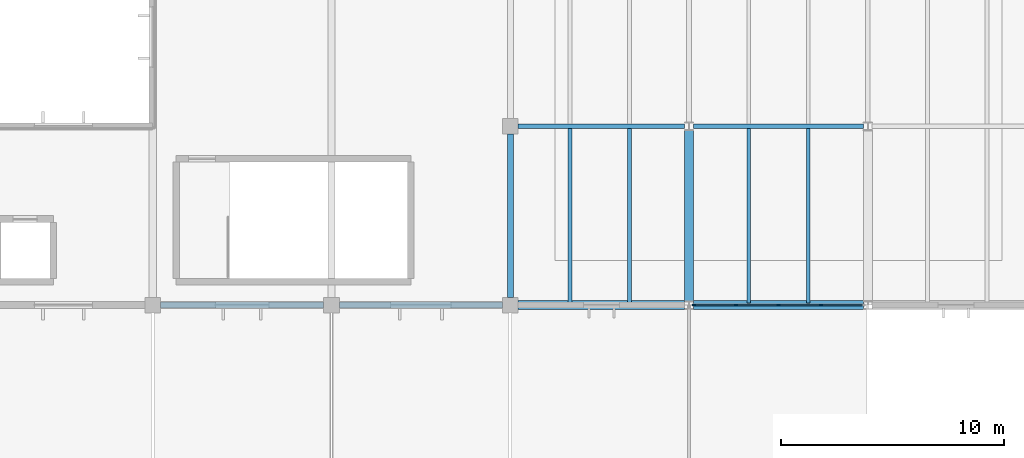
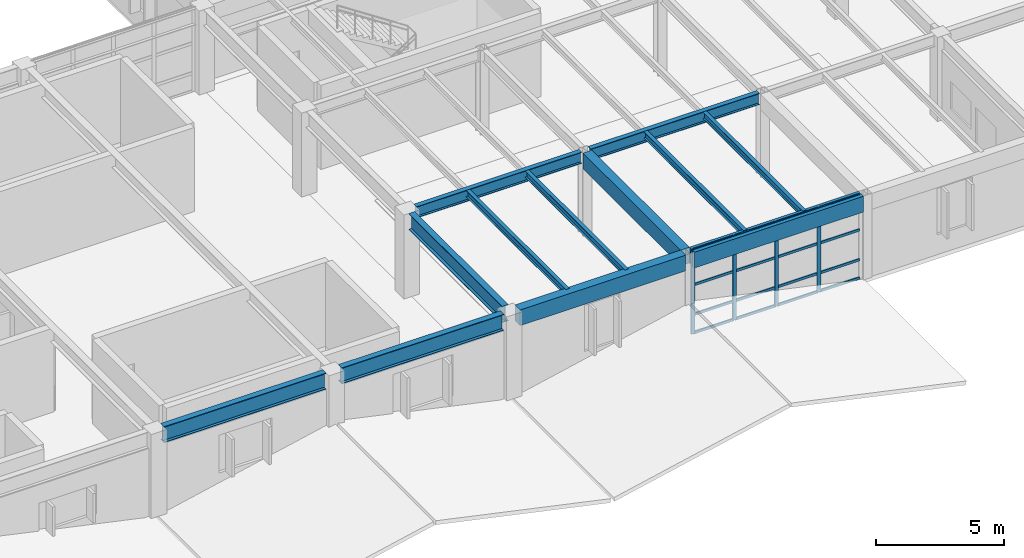
# One storey, part 21 of 48: 20 members, 12 beams, 1 element without a shape of its own.
"""IFC4 building model written with IfcOpenShell, lengths in metres."""

from ifc_helpers import new_model, si_unit, direction, frame, origin, origin_2d, place, context, subcontext, project, spatial, rectangle, i_section, extrude, material, layer, layer_set, material_profile, profile_set, type_object, element, aggregate, save


model = new_model("IFC4")

# Units and contexts
model_context = context("Model", 3, precision=1e-05, world=origin(), true_north=direction((0.0, 1.0)))
body_context = subcontext(model_context, "Body", "Model", "MODEL_VIEW")
ifc_project = project(units=[si_unit("LENGTHUNIT", "METRE"), si_unit("AREAUNIT", "SQUARE_METRE"), si_unit("VOLUMEUNIT", "CUBIC_METRE"), si_unit("PLANEANGLEUNIT", "RADIAN"), si_unit("MASSUNIT", "GRAM", prefix="KILO")], contexts=[model_context])

# Site, building, storey
site_placement = place(None, origin())
site = spatial("IfcSite", under=ifc_project, at=site_placement, CompositionType="ELEMENT")
building_placement = place(site_placement, origin())
building = spatial("IfcBuilding", under=site, at=building_placement, Name="Varnela Railside Interchange", CompositionType="ELEMENT")
storey_placement = place(building_placement, frame((0.0, 0.0, 11.199951171875)))
storey = spatial("IfcBuildingStorey", under=building, at=storey_placement, Name="L02", CompositionType="ELEMENT", Elevation=11.199951171875)

# Beams
ifc_material_1 = material(Name="Steel AR 350 (350 MPa)", Category="steel")
ifc_material_profile_1 = material_profile(ifc_material_1, i_section(OverallWidth=0.2119140625, OverallDepth=0.5439453125, WebThickness=0.01318359375, FlangeThickness=0.021240234375, at=origin_2d()), Name="W530x123")
ifc_profile_set_1 = profile_set([ifc_material_profile_1], Name="Steel AR 350 (350 MPa)")
beam_type_1 = type_object("IfcBeamType", Name="Composite Heavy Girder B-16", PredefinedType="BEAM", material=ifc_profile_set_1)
beam_1_placement = place(storey_placement, frame((116.35009765625, 46.0, 3.72802734375), z_axis=(1.0, 0.0, 0.0), x_axis=(0.0, 1.0, 0.0)))
element("IfcBeam", 1, at=beam_1_placement, inside=storey, type_object=beam_type_1, Name="Composite Heavy Girder B-16 (L02) (BM-1952)", PredefinedType="BEAM", context=body_context, shape_type="SweptSolid", body=[
    extrude(i_section(OverallWidth=0.2119140625, OverallDepth=0.5439453125, WebThickness=0.01318359375, FlangeThickness=0.021240234375, at=origin_2d()), origin(), (0.0, 0.0, 1.0), 7.452880859375),
])
beam_2_placement = place(storey_placement, frame((124.197021484375, 46.0, 3.72802734375), z_axis=(1.0, 0.0, 0.0), x_axis=(0.0, 1.0, 0.0)))
element("IfcBeam", 2, at=beam_2_placement, inside=storey, type_object=beam_type_1, Name="Composite Heavy Girder B-16 (L02) (BM-1953)", PredefinedType="BEAM", context=body_context, shape_type="SweptSolid", body=[
    extrude(i_section(OverallWidth=0.2119140625, OverallDepth=0.5439453125, WebThickness=0.01318359375, FlangeThickness=0.021240234375, at=origin_2d()), origin(), (0.0, 0.0, 1.0), 7.60595703125),
])
ifc_material_profile_2 = material_profile(ifc_material_1, i_section(OverallWidth=0.1669921875, OverallDepth=0.31689453125, WebThickness=0.007568359375, FlangeThickness=0.01318359375, at=origin_2d()), Name="W310x52")
ifc_profile_set_2 = profile_set([ifc_material_profile_2], Name="Steel AR 350 (350 MPa)")
beam_type_2 = type_object("IfcBeamType", Name="Composite Long-Span Joist J-03", PredefinedType="JOIST", material=ifc_profile_set_2)
for number, where, z_axis, x_axis, name in (
    (3, (118.669921875, 38.10595703125, 3.841552734375), (0.0, 1.0, 0.0), (-1.0, 0.0, 0.0), "Composite Long-Span Joist J-03 (L02) (BM-1841)"),
    (4, (121.330078125, 38.10595703125, 3.841552734375), (0.0, 1.0, 0.0), (-1.0, 0.0, 0.0), "Composite Long-Span Joist J-03 (L02) (BM-1842)"),
    (5, (126.669921875, 38.10595703125, 3.841552734375), (0.0, 1.0, 0.0), (-1.0, 0.0, 0.0), "Composite Long-Span Joist J-03 (L02) (BM-1854)"),
    (6, (129.330078125, 38.10595703125, 3.841552734375), (0.0, 1.0, 0.0), (-1.0, 0.0, 0.0), "Composite Long-Span Joist J-03 (L02) (BM-1855)"),
):
    element("IfcBeam", number, at=place(storey_placement, frame(where, z_axis=z_axis, x_axis=x_axis)), inside=storey, type_object=beam_type_2, Name=name, PredefinedType="JOIST", context=body_context, shape_type="SweptSolid", body=[
        extrude(i_section(OverallWidth=0.1669921875, OverallDepth=0.31689453125, WebThickness=0.007568359375, FlangeThickness=0.01318359375, at=origin_2d()), origin(), (0.0, 0.0, 1.0), 7.7880859375),
    ])
ifc_material_profile_3 = material_profile(ifc_material_1, i_section(OverallWidth=0.26806640625, OverallDepth=0.77001953125, WebThickness=0.015625, FlangeThickness=0.025390625, at=origin_2d()), Name="W760x196")
ifc_profile_set_3 = profile_set([ifc_material_profile_3], Name="Steel AR 350 (350 MPa)")
beam_type_3 = type_object("IfcBeamType", Name="Concourse Compression Ring Beam RB-01", PredefinedType="BEAM", material=ifc_profile_set_3)
for number, where, z_axis, x_axis, name in (
    (7, (100.35009765625, 38.0, 3.614990234375), (1.0, 0.0, 0.0), (0.0, 1.0, 0.0), "Concourse Compression Ring Beam RB-01 (L02) (BM-1932)"),
    (8, (108.35009765625, 38.0, 3.614990234375), (1.0, 0.0, 0.0), (0.0, 1.0, 0.0), "Concourse Compression Ring Beam RB-01 (L02) (BM-1933)"),
    (9, (116.0, 38.35009765625, 3.614990234375), (0.0, 1.0, 0.0), (-1.0, 0.0, 0.0), "Concourse Compression Ring Beam RB-01 (L02) (BM-2021)"),
):
    element("IfcBeam", number, at=place(storey_placement, frame(where, z_axis=z_axis, x_axis=x_axis)), inside=storey, type_object=beam_type_3, Name=name, PredefinedType="BEAM", context=body_context, shape_type="SweptSolid", body=[
        extrude(i_section(OverallWidth=0.26806640625, OverallDepth=0.77001953125, WebThickness=0.015625, FlangeThickness=0.025390625, at=origin_2d()), origin(), (0.0, 0.0, 1.0), 7.2998046875),
    ])

# Curtain wall, members
ifc_material_2 = material(Name="Aluminium 6063-T6", Category="aluminium")
ifc_layer = layer(ifc_material_2, 0.035888671875)
ifc_layer_set = layer_set([ifc_layer], Name="Aluminium 6063-T6")
curtain_wall_type = type_object("IfcCurtainWallType", Name="Study Pavilion Gallery Curtain Wall CW-02", PredefinedType="USERDEFINED", material=ifc_layer_set)
curtain_wall_placement = place(storey_placement, origin())
curtain_wall = element("IfcCurtainWall", 10, at=curtain_wall_placement, inside=storey, type_object=curtain_wall_type, Name="Curtain Wall CW-02 (L02) (CW-066)", ObjectType="CURTAIN WALL", PredefinedType="USERDEFINED")
ifc_material_profile_4 = material_profile(ifc_material_2, rectangle(XDim=0.06005859375, YDim=0.159912109375, at=origin_2d()), Name="ALU 60x160")
ifc_profile_set_4 = profile_set([ifc_material_profile_4], Name="Aluminium 6063-T6")
member_type_1 = type_object("IfcMemberType", Name="Curtain Wall Mullion ML-02", PredefinedType="MULLION", material=ifc_profile_set_4)
member_1_placement = place(storey_placement, frame((129.901611328125, 38.0, 0.0), z_axis=(0.0, 0.0, 1.0), x_axis=(0.0, -1.0, 0.0)))
member_1 = element("IfcMember", 11, at=member_1_placement, type_object=member_type_1, Name="CW-02 mullion 2", PredefinedType="MULLION", context=body_context, shape_type="SweptSolid", body=[
    extrude(rectangle(XDim=0.06005859375, YDim=0.159912109375, at=origin_2d()), origin(), (0.0, 0.0, 1.0), 4.0),
])
member_2_placement = place(storey_placement, frame((128.0, 38.0, 0.0), z_axis=(0.0, 0.0, 1.0), x_axis=(0.0, -1.0, 0.0)))
member_2 = element("IfcMember", 12, at=member_2_placement, type_object=member_type_1, Name="CW-02 mullion 3", PredefinedType="MULLION", context=body_context, shape_type="SweptSolid", body=[
    extrude(rectangle(XDim=0.06005859375, YDim=0.159912109375, at=origin_2d()), origin(), (0.0, 0.0, 1.0), 4.0),
])
member_3_placement = place(storey_placement, frame((126.098388671875, 38.0, 0.0), z_axis=(0.0, 0.0, 1.0), x_axis=(0.0, -1.0, 0.0)))
member_3 = element("IfcMember", 13, at=member_3_placement, type_object=member_type_1, Name="CW-02 mullion 4", PredefinedType="MULLION", context=body_context, shape_type="SweptSolid", body=[
    extrude(rectangle(XDim=0.06005859375, YDim=0.159912109375, at=origin_2d()), origin(), (0.0, 0.0, 1.0), 4.0),
])
member_4_placement = place(storey_placement, frame((124.22705078125, 38.0, 0.0), z_axis=(0.0, 0.0, 1.0), x_axis=(0.0, -1.0, 0.0)))
member_4 = element("IfcMember", 14, at=member_4_placement, type_object=member_type_1, Name="CW-02 mullion 5", PredefinedType="MULLION", context=body_context, shape_type="SweptSolid", body=[
    extrude(rectangle(XDim=0.06005859375, YDim=0.159912109375, at=origin_2d()), origin(), (0.0, 0.0, 1.0), 4.0),
])
ifc_material_profile_5 = material_profile(ifc_material_2, rectangle(XDim=0.06005859375, YDim=0.1201171875, at=origin_2d()), Name="ALU 60x120")
ifc_profile_set_5 = profile_set([ifc_material_profile_5], Name="Aluminium 6063-T6")
member_type_2 = type_object("IfcMemberType", Name="Curtain Wall Transom TR-02", PredefinedType="USERDEFINED", material=ifc_profile_set_5)
member_5_placement = place(storey_placement, frame((131.742919921875, 38.0, 0.030029296875), z_axis=(-1.0, 0.0, 0.0), x_axis=(0.0, -1.0, 0.0)))
member_5 = element("IfcMember", 15, at=member_5_placement, type_object=member_type_2, Name="CW-02 transom 1.1", ObjectType="TRANSOM", PredefinedType="USERDEFINED", context=body_context, shape_type="SweptSolid", body=[
    extrude(rectangle(XDim=0.06005859375, YDim=0.1201171875, at=origin_2d()), origin(), (0.0, 0.0, 1.0), 1.8115234375),
])
member_6_placement = place(storey_placement, frame((131.742919921875, 38.0, 0.900146484375), z_axis=(-1.0, 0.0, 0.0), x_axis=(0.0, -1.0, 0.0)))
member_6 = element("IfcMember", 16, at=member_6_placement, type_object=member_type_2, Name="CW-02 transom 1.2", ObjectType="TRANSOM", PredefinedType="USERDEFINED", context=body_context, shape_type="SweptSolid", body=[
    extrude(rectangle(XDim=0.06005859375, YDim=0.1201171875, at=origin_2d()), origin(), (0.0, 0.0, 1.0), 1.8115234375),
])
member_7_placement = place(storey_placement, frame((131.742919921875, 38.0, 2.320068359375), z_axis=(-1.0, 0.0, 0.0), x_axis=(0.0, -1.0, 0.0)))
member_7 = element("IfcMember", 17, at=member_7_placement, type_object=member_type_2, Name="CW-02 transom 1.3", ObjectType="TRANSOM", PredefinedType="USERDEFINED", context=body_context, shape_type="SweptSolid", body=[
    extrude(rectangle(XDim=0.06005859375, YDim=0.1201171875, at=origin_2d()), origin(), (0.0, 0.0, 1.0), 1.8115234375),
])
member_8_placement = place(storey_placement, frame((131.742919921875, 38.0, 3.969970703125), z_axis=(-1.0, 0.0, 0.0), x_axis=(0.0, -1.0, 0.0)))
member_8 = element("IfcMember", 18, at=member_8_placement, type_object=member_type_2, Name="CW-02 transom 1.4", ObjectType="TRANSOM", PredefinedType="USERDEFINED", context=body_context, shape_type="SweptSolid", body=[
    extrude(rectangle(XDim=0.06005859375, YDim=0.1201171875, at=origin_2d()), origin(), (0.0, 0.0, 1.0), 1.8115234375),
])
member_9_placement = place(storey_placement, frame((129.87158203125, 38.0, 0.030029296875), z_axis=(-1.0, 0.0, 0.0), x_axis=(0.0, -1.0, 0.0)))
member_9 = element("IfcMember", 19, at=member_9_placement, type_object=member_type_2, Name="CW-02 transom 2.1", ObjectType="TRANSOM", PredefinedType="USERDEFINED", context=body_context, shape_type="SweptSolid", body=[
    extrude(rectangle(XDim=0.06005859375, YDim=0.1201171875, at=origin_2d()), origin(), (0.0, 0.0, 1.0), 1.841552734375),
])
member_10_placement = place(storey_placement, frame((129.87158203125, 38.0, 0.900146484375), z_axis=(-1.0, 0.0, 0.0), x_axis=(0.0, -1.0, 0.0)))
member_10 = element("IfcMember", 20, at=member_10_placement, type_object=member_type_2, Name="CW-02 transom 2.2", ObjectType="TRANSOM", PredefinedType="USERDEFINED", context=body_context, shape_type="SweptSolid", body=[
    extrude(rectangle(XDim=0.06005859375, YDim=0.1201171875, at=origin_2d()), origin(), (0.0, 0.0, 1.0), 1.841552734375),
])
member_11_placement = place(storey_placement, frame((129.87158203125, 38.0, 2.320068359375), z_axis=(-1.0, 0.0, 0.0), x_axis=(0.0, -1.0, 0.0)))
member_11 = element("IfcMember", 21, at=member_11_placement, type_object=member_type_2, Name="CW-02 transom 2.3", ObjectType="TRANSOM", PredefinedType="USERDEFINED", context=body_context, shape_type="SweptSolid", body=[
    extrude(rectangle(XDim=0.06005859375, YDim=0.1201171875, at=origin_2d()), origin(), (0.0, 0.0, 1.0), 1.841552734375),
])
member_12_placement = place(storey_placement, frame((129.87158203125, 38.0, 3.969970703125), z_axis=(-1.0, 0.0, 0.0), x_axis=(0.0, -1.0, 0.0)))
member_12 = element("IfcMember", 22, at=member_12_placement, type_object=member_type_2, Name="CW-02 transom 2.4", ObjectType="TRANSOM", PredefinedType="USERDEFINED", context=body_context, shape_type="SweptSolid", body=[
    extrude(rectangle(XDim=0.06005859375, YDim=0.1201171875, at=origin_2d()), origin(), (0.0, 0.0, 1.0), 1.841552734375),
])
member_13_placement = place(storey_placement, frame((127.969970703125, 38.0, 0.030029296875), z_axis=(-1.0, 0.0, 0.0), x_axis=(0.0, -1.0, 0.0)))
member_13 = element("IfcMember", 23, at=member_13_placement, type_object=member_type_2, Name="CW-02 transom 3.1", ObjectType="TRANSOM", PredefinedType="USERDEFINED", context=body_context, shape_type="SweptSolid", body=[
    extrude(rectangle(XDim=0.06005859375, YDim=0.1201171875, at=origin_2d()), origin(), (0.0, 0.0, 1.0), 1.841552734375),
])
member_14_placement = place(storey_placement, frame((127.969970703125, 38.0, 0.900146484375), z_axis=(-1.0, 0.0, 0.0), x_axis=(0.0, -1.0, 0.0)))
member_14 = element("IfcMember", 24, at=member_14_placement, type_object=member_type_2, Name="CW-02 transom 3.2", ObjectType="TRANSOM", PredefinedType="USERDEFINED", context=body_context, shape_type="SweptSolid", body=[
    extrude(rectangle(XDim=0.06005859375, YDim=0.1201171875, at=origin_2d()), origin(), (0.0, 0.0, 1.0), 1.841552734375),
])
member_15_placement = place(storey_placement, frame((127.969970703125, 38.0, 2.320068359375), z_axis=(-1.0, 0.0, 0.0), x_axis=(0.0, -1.0, 0.0)))
member_15 = element("IfcMember", 25, at=member_15_placement, type_object=member_type_2, Name="CW-02 transom 3.3", ObjectType="TRANSOM", PredefinedType="USERDEFINED", context=body_context, shape_type="SweptSolid", body=[
    extrude(rectangle(XDim=0.06005859375, YDim=0.1201171875, at=origin_2d()), origin(), (0.0, 0.0, 1.0), 1.841552734375),
])
member_16_placement = place(storey_placement, frame((127.969970703125, 38.0, 3.969970703125), z_axis=(-1.0, 0.0, 0.0), x_axis=(0.0, -1.0, 0.0)))
member_16 = element("IfcMember", 26, at=member_16_placement, type_object=member_type_2, Name="CW-02 transom 3.4", ObjectType="TRANSOM", PredefinedType="USERDEFINED", context=body_context, shape_type="SweptSolid", body=[
    extrude(rectangle(XDim=0.06005859375, YDim=0.1201171875, at=origin_2d()), origin(), (0.0, 0.0, 1.0), 1.841552734375),
])
member_17_placement = place(storey_placement, frame((126.068603515625, 38.0, 0.030029296875), z_axis=(-1.0, 0.0, 0.0), x_axis=(0.0, -1.0, 0.0)))
member_17 = element("IfcMember", 27, at=member_17_placement, type_object=member_type_2, Name="CW-02 transom 4.1", ObjectType="TRANSOM", PredefinedType="USERDEFINED", context=body_context, shape_type="SweptSolid", body=[
    extrude(rectangle(XDim=0.06005859375, YDim=0.1201171875, at=origin_2d()), origin(), (0.0, 0.0, 1.0), 1.8115234375),
])
member_18_placement = place(storey_placement, frame((126.068603515625, 38.0, 0.900146484375), z_axis=(-1.0, 0.0, 0.0), x_axis=(0.0, -1.0, 0.0)))
member_18 = element("IfcMember", 28, at=member_18_placement, type_object=member_type_2, Name="CW-02 transom 4.2", ObjectType="TRANSOM", PredefinedType="USERDEFINED", context=body_context, shape_type="SweptSolid", body=[
    extrude(rectangle(XDim=0.06005859375, YDim=0.1201171875, at=origin_2d()), origin(), (0.0, 0.0, 1.0), 1.8115234375),
])
member_19_placement = place(storey_placement, frame((126.068603515625, 38.0, 2.320068359375), z_axis=(-1.0, 0.0, 0.0), x_axis=(0.0, -1.0, 0.0)))
member_19 = element("IfcMember", 29, at=member_19_placement, type_object=member_type_2, Name="CW-02 transom 4.3", ObjectType="TRANSOM", PredefinedType="USERDEFINED", context=body_context, shape_type="SweptSolid", body=[
    extrude(rectangle(XDim=0.06005859375, YDim=0.1201171875, at=origin_2d()), origin(), (0.0, 0.0, 1.0), 1.8115234375),
])
member_20_placement = place(storey_placement, frame((126.068603515625, 38.0, 3.969970703125), z_axis=(-1.0, 0.0, 0.0), x_axis=(0.0, -1.0, 0.0)))
member_20 = element("IfcMember", 30, at=member_20_placement, type_object=member_type_2, Name="CW-02 transom 4.4", ObjectType="TRANSOM", PredefinedType="USERDEFINED", context=body_context, shape_type="SweptSolid", body=[
    extrude(rectangle(XDim=0.06005859375, YDim=0.1201171875, at=origin_2d()), origin(), (0.0, 0.0, 1.0), 1.8115234375),
])
aggregate(curtain_wall, [member_1, member_2, member_3, member_4, member_5, member_6, member_7, member_8, member_9, member_10, member_11, member_12, member_13, member_14, member_15, member_16, member_17, member_18, member_19, member_20])

# Beams
ifc_material_3 = material(Name="Concrete C40 precast", Category="concrete")
ifc_material_profile_6 = material_profile(ifc_material_3, rectangle(XDim=0.39990234375, YDim=0.75, at=origin_2d()), Name="PC 400x750")
ifc_profile_set_6 = profile_set([ifc_material_profile_6], Name="Concrete C40 precast")
beam_type_4 = type_object("IfcBeamType", Name="Precast Facade Spandrel SP-03", PredefinedType="SPANDREL", material=ifc_profile_set_6)
beam_3_placement = place(storey_placement, frame((116.35009765625, 38.0, 3.625), z_axis=(1.0, 0.0, 0.0), x_axis=(0.0, 1.0, 0.0)))
element("IfcBeam", 31, at=beam_3_placement, inside=storey, type_object=beam_type_4, Name="Precast Facade Spandrel SP-03 (L02) (BM-1934)", PredefinedType="SPANDREL", context=body_context, shape_type="SweptSolid", body=[
    extrude(rectangle(XDim=0.39990234375, YDim=0.75, at=origin_2d()), origin(), (0.0, 0.0, 1.0), 7.452880859375),
])
beam_4_placement = place(storey_placement, frame((124.197021484375, 38.0, 3.625), z_axis=(1.0, 0.0, 0.0), x_axis=(0.0, 1.0, 0.0)))
element("IfcBeam", 32, at=beam_4_placement, inside=storey, type_object=beam_type_4, Name="Precast Facade Spandrel SP-03 (L02) (BM-1935)", PredefinedType="SPANDREL", context=body_context, shape_type="SweptSolid", body=[
    extrude(rectangle(XDim=0.39990234375, YDim=0.75, at=origin_2d()), origin(), (0.0, 0.0, 1.0), 7.60595703125),
])
beam_5_placement = place(storey_placement, frame((124.0, 38.1875, 3.625), z_axis=(0.0, 1.0, 0.0), x_axis=(-1.0, 0.0, 0.0)))
element("IfcBeam", 33, at=beam_5_placement, inside=storey, type_object=beam_type_4, Name="Precast Facade Spandrel SP-03 (L02) (BM-2028)", PredefinedType="SPANDREL", context=body_context, shape_type="SweptSolid", body=[
    extrude(rectangle(XDim=0.39990234375, YDim=0.75, at=origin_2d()), origin(), (0.0, 0.0, 1.0), 7.625),
])

save(model, "model.ifc")
